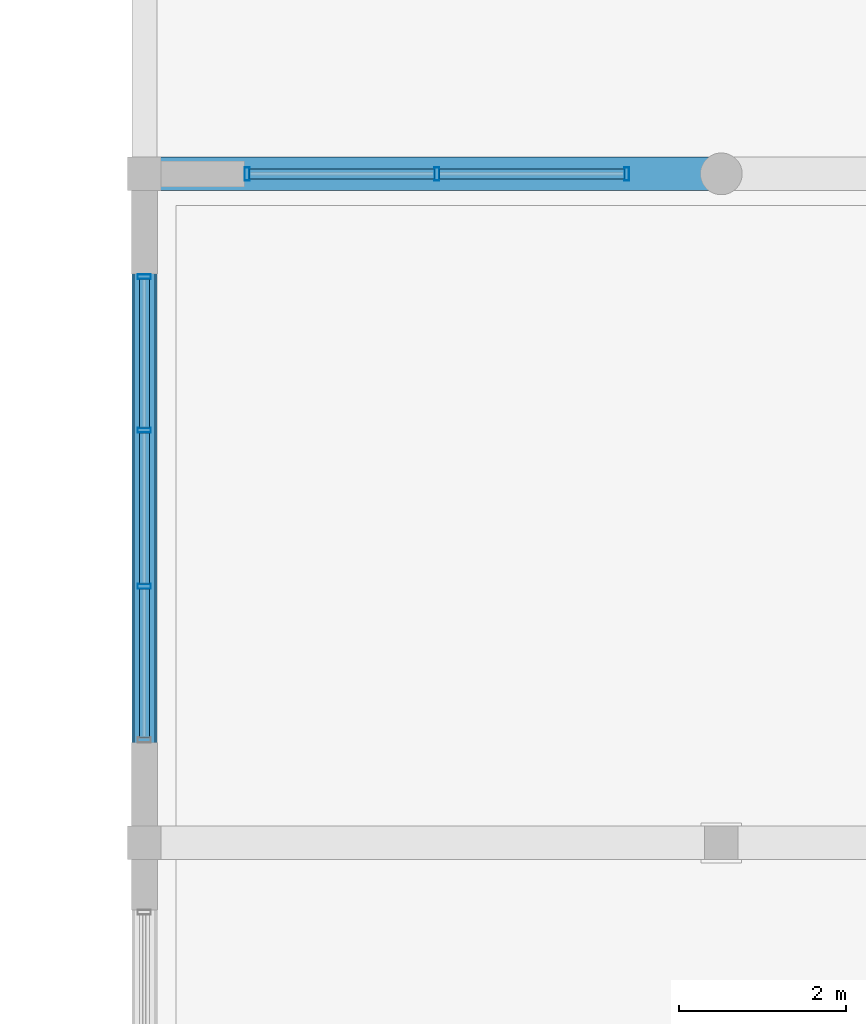
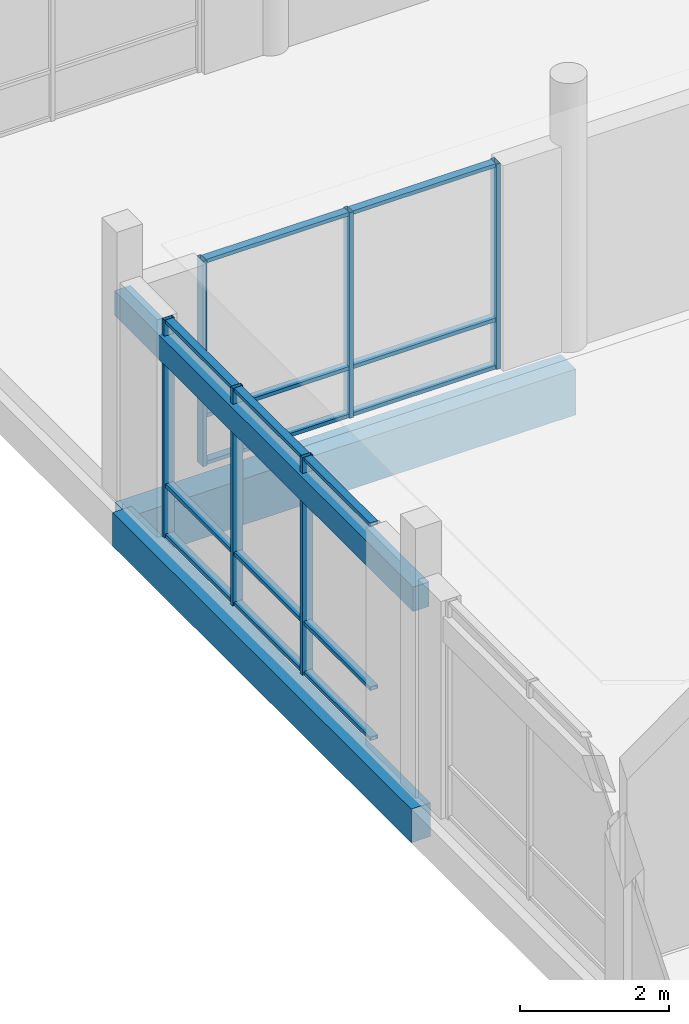
# One storey, part 52 of 233: 21 members, 3 beams, 2 elements without a shape of their own.
"""IFC4 building model written with IfcOpenShell, lengths in metres."""

from ifc_helpers import new_model, si_unit, direction, frame, origin, origin_2d, place, context, subcontext, project, spatial, rectangle, hollow_rectangle, extrude, material, material_profile, profile_set, type_object, element, aggregate, save


model = new_model("IFC4")

# Units and contexts
model_context = context("Model", 3, precision=1e-05, world=origin(), true_north=direction((0.0, 1.0)))
body_context = subcontext(model_context, "Body", "Model", "MODEL_VIEW")
ifc_project = project(units=[si_unit("LENGTHUNIT", "METRE"), si_unit("AREAUNIT", "SQUARE_METRE"), si_unit("VOLUMEUNIT", "CUBIC_METRE"), si_unit("PLANEANGLEUNIT", "RADIAN"), si_unit("MASSUNIT", "GRAM", prefix="KILO")], contexts=[model_context])

# Site, building, storey
site_placement = place(None, origin())
site = spatial("IfcSite", under=ifc_project, at=site_placement, CompositionType="ELEMENT")
building_placement = place(site_placement, origin())
building = spatial("IfcBuilding", under=site, at=building_placement, Name="Zavelmont Quarter", CompositionType="ELEMENT")
storey_placement = place(building_placement, origin())
storey = spatial("IfcBuildingStorey", under=building, at=storey_placement, Name="L00", CompositionType="ELEMENT", Elevation=0.0)

# Beams
ifc_material_1 = material(Name="Concrete C35/45", Category="concrete")
ifc_material_profile_1 = material_profile(ifc_material_1, rectangle(XDim=0.300048828125, YDim=0.550048828125, at=origin_2d()), Name="RC300X550")
ifc_profile_set_1 = profile_set([ifc_material_profile_1], Name="Concrete C35/45")
beam_type_1 = type_object("IfcBeamType", Name="BM02", PredefinedType="SPANDREL", material=ifc_profile_set_1)
beam_1_placement = place(storey_placement, frame((0.0, 46.0, -0.594970703125), z_axis=(0.0, 1.0, 0.0), x_axis=(-1.0, 0.0, 0.0)))
element("IfcBeam", 1, at=beam_1_placement, inside=storey, type_object=beam_type_1, Name="L00 beam BM02 1/H to 1/J", PredefinedType="SPANDREL", context=body_context, shape_type="SweptSolid", body=[
    extrude(rectangle(XDim=0.300048828125, YDim=0.550048828125, at=origin_2d()), origin(), (0.0, 0.0, 1.0), 8.0),
])
ifc_material_profile_2 = material_profile(ifc_material_1, rectangle(XDim=0.25, YDim=0.39990234375, at=origin_2d()), Name="RC250X400")
ifc_profile_set_2 = profile_set([ifc_material_profile_2], Name="Concrete C35/45")
beam_type_2 = type_object("IfcBeamType", Name="BM04", PredefinedType="LINTEL", material=ifc_profile_set_2)
beam_2_placement = place(storey_placement, frame((0.0, 46.0, 3.10009765625), z_axis=(0.0, 1.0, 0.0), x_axis=(-1.0, 0.0, 0.0)))
element("IfcBeam", 2, at=beam_2_placement, inside=storey, type_object=beam_type_2, Name="L00 beam BM04 1/H to 1/J", PredefinedType="LINTEL", context=body_context, shape_type="SweptSolid", body=[
    extrude(rectangle(XDim=0.25, YDim=0.39990234375, at=origin_2d()), origin(), (0.0, 0.0, 1.0), 8.0),
])
ifc_material_2 = material(Name="Concrete C40/50", Category="concrete")
ifc_material_profile_3 = material_profile(ifc_material_2, rectangle(XDim=0.39990234375, YDim=0.75, at=origin_2d()), Name="RC400X750")
ifc_profile_set_3 = profile_set([ifc_material_profile_3], Name="Concrete C40/50")
beam_type_3 = type_object("IfcBeamType", Name="BM05", PredefinedType="BEAM", material=ifc_profile_set_3)
beam_3_placement = place(storey_placement, frame((0.0, 54.0, -0.695068359375), z_axis=(1.0, 0.0, 0.0), x_axis=(0.0, 1.0, 0.0)))
element("IfcBeam", 3, at=beam_3_placement, inside=storey, type_object=beam_type_3, Name="L00 beam BM05 1/J to 2/J", PredefinedType="BEAM", context=body_context, shape_type="SweptSolid", body=[
    extrude(rectangle(XDim=0.39990234375, YDim=0.75, at=origin_2d()), origin(), (0.0, 0.0, 1.0), 6.89990234375),
])

# Curtain wall, members
ifc_material_3 = material(Name="Thermally broken aluminium and double low-E safety glazing", Category="aluminium")
curtain_wall_type_1 = type_object("IfcCurtainWallType", Name="CW-560X356", PredefinedType="NOTDEFINED", material=ifc_material_3)
curtain_wall_1_placement = place(storey_placement, origin())
curtain_wall_1 = element("IfcCurtainWall", 4, at=curtain_wall_1_placement, inside=storey, type_object=curtain_wall_type_1, Name="L00 unitised curtain wall CW-560X356", PredefinedType="NOTDEFINED")
ifc_material_4 = material(Name="Powder-coated aluminium EN AW-6063-T6", Category="aluminium")
ifc_material_profile_4 = material_profile(ifc_material_4, hollow_rectangle(XDim=0.06005859375, YDim=0.159912109375, WallThickness=0.00390625, at=origin_2d()), Name="CWM60X160")
ifc_profile_set_4 = profile_set([ifc_material_profile_4], Name="Powder-coated aluminium EN AW-6063-T6")
member_type_1 = type_object("IfcMemberType", Name="CWM01", PredefinedType="MULLION", material=ifc_profile_set_4)
member_1_placement = place(storey_placement, frame((0.0, 49.066650390625, 0.0), z_axis=(0.0, 0.0, 1.0), x_axis=(0.0, 1.0, 0.0)))
member_1 = element("IfcMember", 5, at=member_1_placement, type_object=member_type_1, Name="CW-560X356 mullion 2", PredefinedType="MULLION", context=body_context, shape_type="SweptSolid", body=[
    extrude(hollow_rectangle(XDim=0.06005859375, YDim=0.159912109375, WallThickness=0.00390625, at=origin_2d()), origin(), (0.0, 0.0, 1.0), 3.56005859375),
])
member_2_placement = place(storey_placement, frame((0.0, 50.933349609375, 0.0), z_axis=(0.0, 0.0, 1.0), x_axis=(0.0, 1.0, 0.0)))
member_2 = element("IfcMember", 6, at=member_2_placement, type_object=member_type_1, Name="CW-560X356 mullion 3", PredefinedType="MULLION", context=body_context, shape_type="SweptSolid", body=[
    extrude(hollow_rectangle(XDim=0.06005859375, YDim=0.159912109375, WallThickness=0.00390625, at=origin_2d()), origin(), (0.0, 0.0, 1.0), 3.56005859375),
])
member_3_placement = place(storey_placement, frame((0.0, 52.77001953125, 0.0), z_axis=(0.0, 0.0, 1.0), x_axis=(0.0, 1.0, 0.0)))
member_3 = element("IfcMember", 7, at=member_3_placement, type_object=member_type_1, Name="CW-560X356 mullion 4", PredefinedType="MULLION", context=body_context, shape_type="SweptSolid", body=[
    extrude(hollow_rectangle(XDim=0.06005859375, YDim=0.159912109375, WallThickness=0.00390625, at=origin_2d()), origin(), (0.0, 0.0, 1.0), 3.56005859375),
])

curtain_wall_type_2 = type_object("IfcCurtainWallType", Name="CW-460X336", PredefinedType="NOTDEFINED", material=ifc_material_3)
curtain_wall_2_placement = place(storey_placement, origin())
curtain_wall_2 = element("IfcCurtainWall", 8, at=curtain_wall_2_placement, inside=storey, type_object=curtain_wall_type_2, Name="L00 unitised curtain wall CW-460X336", PredefinedType="NOTDEFINED")
member_4_placement = place(storey_placement, frame((1.22998046875, 54.0, 0.0), z_axis=(0.0, 0.0, 1.0), x_axis=(1.0, 0.0, 0.0)))
member_4 = element("IfcMember", 9, at=member_4_placement, type_object=member_type_1, Name="CW-460X336 mullion 1", PredefinedType="MULLION", context=body_context, shape_type="SweptSolid", body=[
    extrude(hollow_rectangle(XDim=0.06005859375, YDim=0.159912109375, WallThickness=0.00390625, at=origin_2d()), origin(), (0.0, 0.0, 1.0), 3.360107421875),
])
member_5_placement = place(storey_placement, frame((3.5, 54.0, 0.0), z_axis=(0.0, 0.0, 1.0), x_axis=(1.0, 0.0, 0.0)))
member_5 = element("IfcMember", 10, at=member_5_placement, type_object=member_type_1, Name="CW-460X336 mullion 2", PredefinedType="MULLION", context=body_context, shape_type="SweptSolid", body=[
    extrude(hollow_rectangle(XDim=0.06005859375, YDim=0.159912109375, WallThickness=0.00390625, at=origin_2d()), origin(), (0.0, 0.0, 1.0), 3.360107421875),
])
member_6_placement = place(storey_placement, frame((5.77001953125, 54.0, 0.0), z_axis=(0.0, 0.0, 1.0), x_axis=(1.0, 0.0, 0.0)))
member_6 = element("IfcMember", 11, at=member_6_placement, type_object=member_type_1, Name="CW-460X336 mullion 3", PredefinedType="MULLION", context=body_context, shape_type="SweptSolid", body=[
    extrude(hollow_rectangle(XDim=0.06005859375, YDim=0.159912109375, WallThickness=0.00390625, at=origin_2d()), origin(), (0.0, 0.0, 1.0), 3.360107421875),
])

# Member
ifc_material_profile_5 = material_profile(ifc_material_4, hollow_rectangle(XDim=0.1201171875, YDim=0.06005859375, WallThickness=0.00390625, at=origin_2d()), Name="CWT60X120")
ifc_profile_set_5 = profile_set([ifc_material_profile_5], Name="Powder-coated aluminium EN AW-6063-T6")
member_type_2 = type_object("IfcMemberType", Name="CWT01", PredefinedType="NOTDEFINED", material=ifc_profile_set_5)
member_7_placement = place(storey_placement, frame((0.0, 47.260009765625, 0.030029296875), z_axis=(0.0, 1.0, 0.0), x_axis=(-1.0, 0.0, 0.0)))
member_7 = element("IfcMember", 12, at=member_7_placement, type_object=member_type_2, Name="CW-560X356 transom 1.1", ObjectType="TRANSOM", PredefinedType="USERDEFINED", context=body_context, shape_type="SweptSolid", body=[
    extrude(hollow_rectangle(XDim=0.1201171875, YDim=0.06005859375, WallThickness=0.00390625, at=origin_2d()), origin(), (0.0, 0.0, 1.0), 1.776611328125),
])

member_8_placement = place(storey_placement, frame((0.0, 47.260009765625, 0.85009765625), z_axis=(0.0, 1.0, 0.0), x_axis=(-1.0, 0.0, 0.0)))
member_8 = element("IfcMember", 13, at=member_8_placement, type_object=member_type_2, Name="CW-560X356 transom 1.2", ObjectType="TRANSOM", PredefinedType="USERDEFINED", context=body_context, shape_type="SweptSolid", body=[
    extrude(hollow_rectangle(XDim=0.1201171875, YDim=0.06005859375, WallThickness=0.00390625, at=origin_2d()), origin(), (0.0, 0.0, 1.0), 1.776611328125),
])

member_9_placement = place(storey_placement, frame((0.0, 47.260009765625, 3.530029296875), z_axis=(0.0, 1.0, 0.0), x_axis=(-1.0, 0.0, 0.0)))
member_9 = element("IfcMember", 14, at=member_9_placement, type_object=member_type_2, Name="CW-560X356 transom 1.3", ObjectType="TRANSOM", PredefinedType="USERDEFINED", context=body_context, shape_type="SweptSolid", body=[
    extrude(hollow_rectangle(XDim=0.1201171875, YDim=0.06005859375, WallThickness=0.00390625, at=origin_2d()), origin(), (0.0, 0.0, 1.0), 1.776611328125),
])

member_10_placement = place(storey_placement, frame((0.0, 49.0966796875, 0.030029296875), z_axis=(0.0, 1.0, 0.0), x_axis=(-1.0, 0.0, 0.0)))
member_10 = element("IfcMember", 15, at=member_10_placement, type_object=member_type_2, Name="CW-560X356 transom 2.1", ObjectType="TRANSOM", PredefinedType="USERDEFINED", context=body_context, shape_type="SweptSolid", body=[
    extrude(hollow_rectangle(XDim=0.1201171875, YDim=0.06005859375, WallThickness=0.00390625, at=origin_2d()), origin(), (0.0, 0.0, 1.0), 1.806640625),
])

member_11_placement = place(storey_placement, frame((0.0, 49.0966796875, 0.85009765625), z_axis=(0.0, 1.0, 0.0), x_axis=(-1.0, 0.0, 0.0)))
member_11 = element("IfcMember", 16, at=member_11_placement, type_object=member_type_2, Name="CW-560X356 transom 2.2", ObjectType="TRANSOM", PredefinedType="USERDEFINED", context=body_context, shape_type="SweptSolid", body=[
    extrude(hollow_rectangle(XDim=0.1201171875, YDim=0.06005859375, WallThickness=0.00390625, at=origin_2d()), origin(), (0.0, 0.0, 1.0), 1.806640625),
])

member_12_placement = place(storey_placement, frame((0.0, 49.0966796875, 3.530029296875), z_axis=(0.0, 1.0, 0.0), x_axis=(-1.0, 0.0, 0.0)))
member_12 = element("IfcMember", 17, at=member_12_placement, type_object=member_type_2, Name="CW-560X356 transom 2.3", ObjectType="TRANSOM", PredefinedType="USERDEFINED", context=body_context, shape_type="SweptSolid", body=[
    extrude(hollow_rectangle(XDim=0.1201171875, YDim=0.06005859375, WallThickness=0.00390625, at=origin_2d()), origin(), (0.0, 0.0, 1.0), 1.806640625),
])

member_13_placement = place(storey_placement, frame((0.0, 50.96337890625, 0.030029296875), z_axis=(0.0, 1.0, 0.0), x_axis=(-1.0, 0.0, 0.0)))
member_13 = element("IfcMember", 18, at=member_13_placement, type_object=member_type_2, Name="CW-560X356 transom 3.1", ObjectType="TRANSOM", PredefinedType="USERDEFINED", context=body_context, shape_type="SweptSolid", body=[
    extrude(hollow_rectangle(XDim=0.1201171875, YDim=0.06005859375, WallThickness=0.00390625, at=origin_2d()), origin(), (0.0, 0.0, 1.0), 1.776611328125),
])

member_14_placement = place(storey_placement, frame((0.0, 50.96337890625, 0.85009765625), z_axis=(0.0, 1.0, 0.0), x_axis=(-1.0, 0.0, 0.0)))
member_14 = element("IfcMember", 19, at=member_14_placement, type_object=member_type_2, Name="CW-560X356 transom 3.2", ObjectType="TRANSOM", PredefinedType="USERDEFINED", context=body_context, shape_type="SweptSolid", body=[
    extrude(hollow_rectangle(XDim=0.1201171875, YDim=0.06005859375, WallThickness=0.00390625, at=origin_2d()), origin(), (0.0, 0.0, 1.0), 1.776611328125),
])

member_15_placement = place(storey_placement, frame((0.0, 50.96337890625, 3.530029296875), z_axis=(0.0, 1.0, 0.0), x_axis=(-1.0, 0.0, 0.0)))
member_15 = element("IfcMember", 20, at=member_15_placement, type_object=member_type_2, Name="CW-560X356 transom 3.3", ObjectType="TRANSOM", PredefinedType="USERDEFINED", context=body_context, shape_type="SweptSolid", body=[
    extrude(hollow_rectangle(XDim=0.1201171875, YDim=0.06005859375, WallThickness=0.00390625, at=origin_2d()), origin(), (0.0, 0.0, 1.0), 1.776611328125),
])

aggregate(curtain_wall_1, [member_1, member_2, member_3, member_7, member_8, member_9, member_10, member_11, member_12, member_13, member_14, member_15])

member_16_placement = place(storey_placement, frame((1.260009765625, 54.0, 0.030029296875), z_axis=(1.0, 0.0, 0.0), x_axis=(0.0, 1.0, 0.0)))
member_16 = element("IfcMember", 21, at=member_16_placement, type_object=member_type_2, Name="CW-460X336 transom 1.1", ObjectType="TRANSOM", PredefinedType="USERDEFINED", context=body_context, shape_type="SweptSolid", body=[
    extrude(hollow_rectangle(XDim=0.1201171875, YDim=0.06005859375, WallThickness=0.00390625, at=origin_2d()), origin(), (0.0, 0.0, 1.0), 2.2099609375),
])

member_17_placement = place(storey_placement, frame((1.260009765625, 54.0, 0.805908203125), z_axis=(1.0, 0.0, 0.0), x_axis=(0.0, 1.0, 0.0)))
member_17 = element("IfcMember", 22, at=member_17_placement, type_object=member_type_2, Name="CW-460X336 transom 1.2", ObjectType="TRANSOM", PredefinedType="USERDEFINED", context=body_context, shape_type="SweptSolid", body=[
    extrude(hollow_rectangle(XDim=0.1201171875, YDim=0.06005859375, WallThickness=0.00390625, at=origin_2d()), origin(), (0.0, 0.0, 1.0), 2.2099609375),
])

member_18_placement = place(storey_placement, frame((1.260009765625, 54.0, 3.330078125), z_axis=(1.0, 0.0, 0.0), x_axis=(0.0, 1.0, 0.0)))
member_18 = element("IfcMember", 23, at=member_18_placement, type_object=member_type_2, Name="CW-460X336 transom 1.3", ObjectType="TRANSOM", PredefinedType="USERDEFINED", context=body_context, shape_type="SweptSolid", body=[
    extrude(hollow_rectangle(XDim=0.1201171875, YDim=0.06005859375, WallThickness=0.00390625, at=origin_2d()), origin(), (0.0, 0.0, 1.0), 2.2099609375),
])

member_19_placement = place(storey_placement, frame((3.530029296875, 54.0, 0.030029296875), z_axis=(1.0, 0.0, 0.0), x_axis=(0.0, 1.0, 0.0)))
member_19 = element("IfcMember", 24, at=member_19_placement, type_object=member_type_2, Name="CW-460X336 transom 2.1", ObjectType="TRANSOM", PredefinedType="USERDEFINED", context=body_context, shape_type="SweptSolid", body=[
    extrude(hollow_rectangle(XDim=0.1201171875, YDim=0.06005859375, WallThickness=0.00390625, at=origin_2d()), origin(), (0.0, 0.0, 1.0), 2.2099609375),
])

member_20_placement = place(storey_placement, frame((3.530029296875, 54.0, 0.805908203125), z_axis=(1.0, 0.0, 0.0), x_axis=(0.0, 1.0, 0.0)))
member_20 = element("IfcMember", 25, at=member_20_placement, type_object=member_type_2, Name="CW-460X336 transom 2.2", ObjectType="TRANSOM", PredefinedType="USERDEFINED", context=body_context, shape_type="SweptSolid", body=[
    extrude(hollow_rectangle(XDim=0.1201171875, YDim=0.06005859375, WallThickness=0.00390625, at=origin_2d()), origin(), (0.0, 0.0, 1.0), 2.2099609375),
])

member_21_placement = place(storey_placement, frame((3.530029296875, 54.0, 3.330078125), z_axis=(1.0, 0.0, 0.0), x_axis=(0.0, 1.0, 0.0)))
member_21 = element("IfcMember", 26, at=member_21_placement, type_object=member_type_2, Name="CW-460X336 transom 2.3", ObjectType="TRANSOM", PredefinedType="USERDEFINED", context=body_context, shape_type="SweptSolid", body=[
    extrude(hollow_rectangle(XDim=0.1201171875, YDim=0.06005859375, WallThickness=0.00390625, at=origin_2d()), origin(), (0.0, 0.0, 1.0), 2.2099609375),
])

aggregate(curtain_wall_2, [member_4, member_5, member_6, member_16, member_17, member_18, member_19, member_20, member_21])

save(model, "model.ifc")
